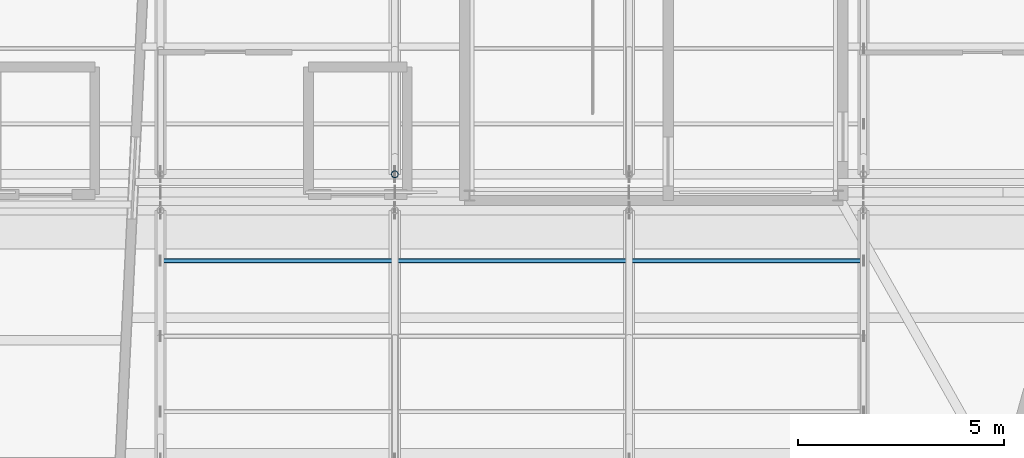
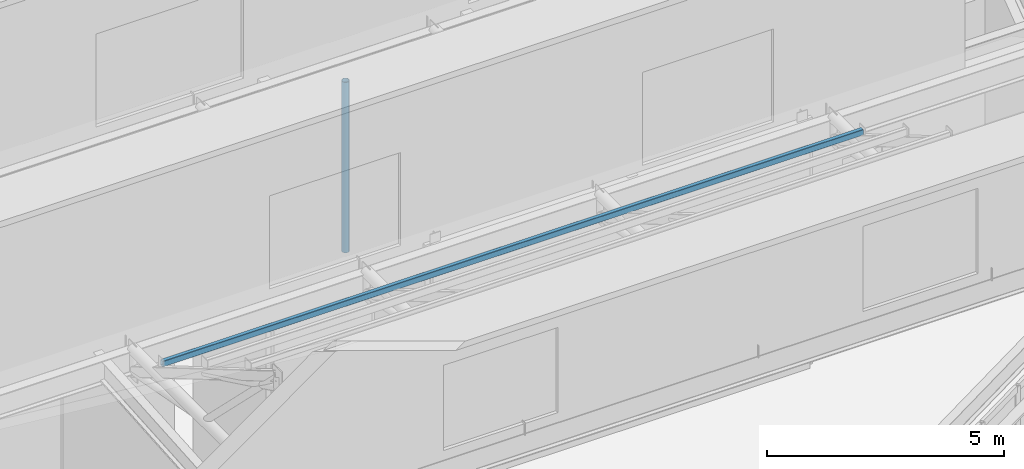
# One storey, part 17 of 55: 1 beam, 1 member.
"""IFC4 building model written with IfcOpenShell, lengths in metres."""

from ifc_helpers import new_model, si_unit, direction, frame, origin, origin_2d, place, context, subcontext, project, spatial, hollow_rectangle, hollow_circle, extrude, material, material_profile, profile_set, type_object, element, save


model = new_model("IFC4")

# Units and contexts
model_context = context("Model", 3, precision=1e-05, world=origin(), true_north=direction((0.0, 1.0)))
body_context = subcontext(model_context, "Body", "Model", "MODEL_VIEW")
ifc_project = project(units=[si_unit("LENGTHUNIT", "METRE"), si_unit("AREAUNIT", "SQUARE_METRE"), si_unit("VOLUMEUNIT", "CUBIC_METRE"), si_unit("PLANEANGLEUNIT", "RADIAN"), si_unit("MASSUNIT", "GRAM", prefix="KILO")], contexts=[model_context])

# Site, building, storey
site_placement = place(None, origin())
site = spatial("IfcSite", under=ifc_project, at=site_placement, CompositionType="ELEMENT")
building_placement = place(site_placement, origin())
building = spatial("IfcBuilding", under=site, at=building_placement, Name="Tameran Prism Museum", CompositionType="ELEMENT")
storey_placement = place(building_placement, frame((0.0, 0.0, 28.800048828125)))
storey = spatial("IfcBuildingStorey", under=building, at=storey_placement, Name="L05", CompositionType="ELEMENT", Elevation=28.800048828125)

# Beam
ifc_material_1 = material(Name="Steel Grade C350L0 (350 MPa)", Category="steel")
ifc_material_profile_1 = material_profile(ifc_material_1, hollow_rectangle(XDim=0.10009765625, YDim=0.14990234375, WallThickness=0.006103515625, InnerFilletRadius=0.009033203125, OuterFilletRadius=0.014892578125, at=origin_2d()))
ifc_profile_set_1 = profile_set([ifc_material_profile_1])
beam_type = type_object("IfcBeamType", Name="BM-PUR150", PredefinedType="USERDEFINED", material=ifc_profile_set_1)
beam_placement = place(storey_placement, frame((119.0, 77.8359375, 6.75390625), z_axis=(1.0, 0.0, 0.0), x_axis=(0.0, 1.0, 0.0)))
element("IfcBeam", 1, at=beam_placement, inside=storey, type_object=beam_type, Name="Sawtooth Purlin PR-003", ObjectType="PURLIN", PredefinedType="USERDEFINED", context=body_context, shape_type="SweptSolid", body=[
    extrude(hollow_rectangle(XDim=0.10009765625, YDim=0.14990234375, WallThickness=0.006103515625, InnerFilletRadius=0.009033203125, OuterFilletRadius=0.014892578125, at=origin_2d()), origin(), (0.0, 0.0, 1.0), 17.10009765625),
])

# Member
ifc_material_2 = material(Name="Steel Grade C350L0 (350 MPa)", Category="steel")
ifc_material_profile_2 = material_profile(ifc_material_2, hollow_circle(Radius=0.084228515625, WallThickness=0.007080078125, at=origin_2d()))
ifc_profile_set_2 = profile_set([ifc_material_profile_2])
member_type = type_object("IfcMemberType", Name="MM-BR-CHS168", PredefinedType="BRACE", material=ifc_profile_set_2)
member_placement = place(storey_placement, frame((124.699951171875, 79.93994140625, 6.385986328125), z_axis=(0.0, 0.0, 1.0), x_axis=(1.0, 0.0, 0.0)))
element("IfcMember", 2, at=member_placement, inside=storey, type_object=member_type, Name="Sawtooth Brace STM-0059", PredefinedType="BRACE", context=body_context, shape_type="SweptSolid", body=[
    extrude(hollow_circle(Radius=0.084228515625, WallThickness=0.007080078125, at=origin_2d()), origin(), (0.0, 0.0, 1.0), 4.40185546875),
])

save(model, "model.ifc")
